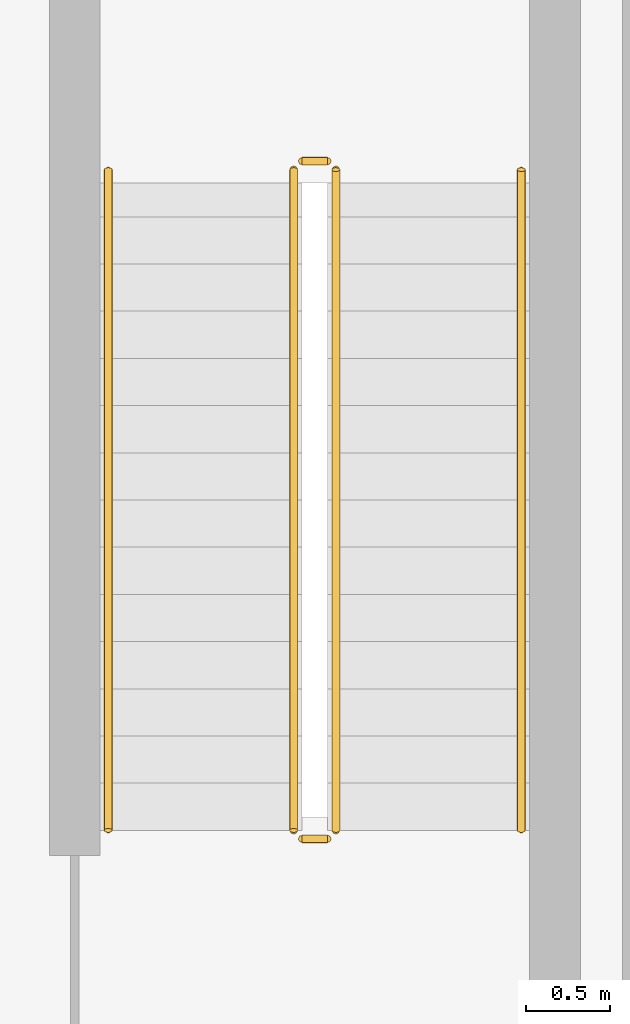
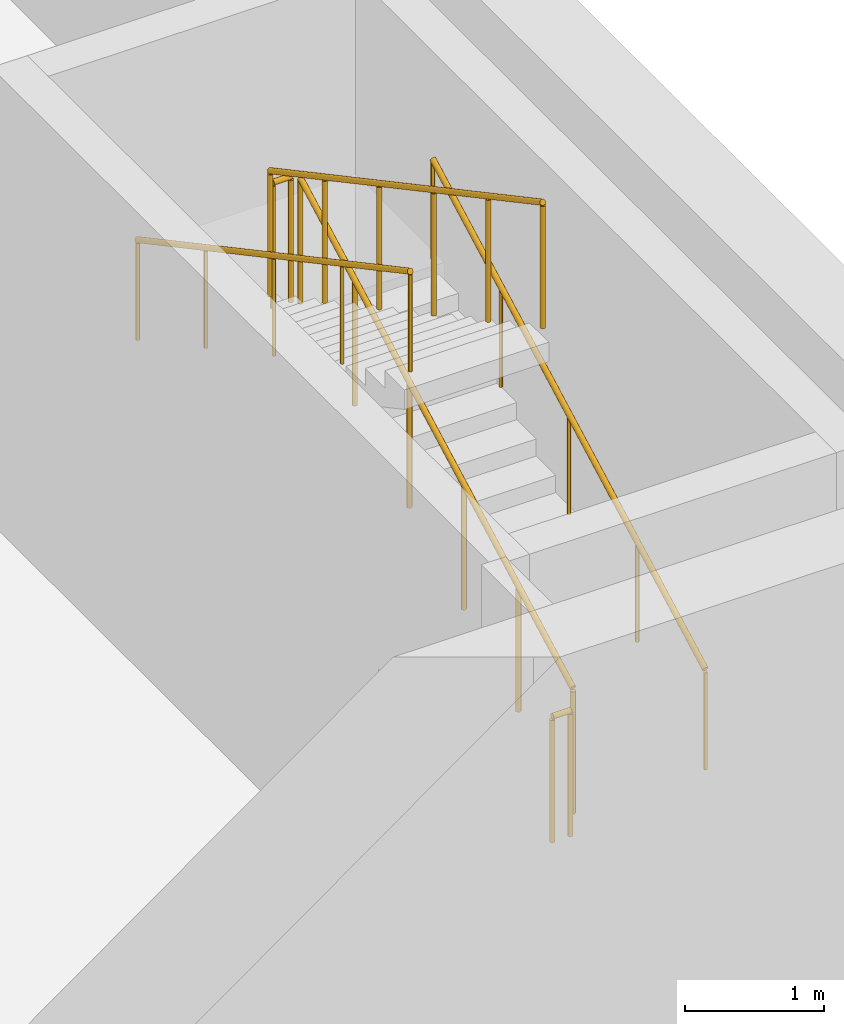
# One storey, part 20 of 21: 6 railings.
"""IFC4 building model written with IfcOpenShell, lengths in metres."""

from ifc_helpers import new_model, si_unit, direction, frame, origin, origin_2d, place, context, subcontext, project, spatial, circle, extrude, material, type_object, element, save


model = new_model("IFC4")

# Units and contexts
model_context = context("Model", 3, precision=1e-05, world=origin(), true_north=direction((0.0, 1.0)))
body_context = subcontext(model_context, "Body", "Model", "MODEL_VIEW")
ifc_project = project(units=[si_unit("LENGTHUNIT", "METRE"), si_unit("AREAUNIT", "SQUARE_METRE"), si_unit("VOLUMEUNIT", "CUBIC_METRE"), si_unit("PLANEANGLEUNIT", "RADIAN"), si_unit("MASSUNIT", "GRAM", prefix="KILO")], contexts=[model_context])

# Site, building, storey
site_placement = place(None, origin())
site = spatial("IfcSite", under=ifc_project, at=site_placement, CompositionType="ELEMENT")
building_placement = place(site_placement, origin())
building = spatial("IfcBuilding", under=site, at=building_placement, Name="Trine Commons Tower", CompositionType="ELEMENT")
storey_placement = place(building_placement, frame((0.0, 0.0, -4.5)))
storey = spatial("IfcBuildingStorey", under=building, at=storey_placement, Name="B1", CompositionType="ELEMENT", Elevation=-4.5)

# Railings
ifc_material = material(Name="Structural steel ASTM A500 Gr C", Category="steel")
railing_type_1 = type_object("IfcRailingType", Name="Steel guard 1120 mm, ASTM A500 Gr C", PredefinedType="GUARDRAIL", material=ifc_material)
railing_1_placement = place(storey_placement, frame((136.5, 23.64990234375, 0.14990234375)))
element("IfcRailing", 1, at=railing_1_placement, inside=storey, type_object=railing_type_1, Name="B1 STB2 stair guard 1", PredefinedType="GUARDRAIL", context=body_context, shape_type="SweptSolid", body=[
    extrude(circle(Radius=0.02392578125, at=origin_2d()), frame((0.0, 0.0, 1.09619140625), z_axis=(0.0, 0.881479153919, 0.472222935917), x_axis=(-1.0, 0.0, 0.0)), (0.0, 0.0, 1.0), 4.447265625),
    extrude(circle(Radius=0.02099609375, at=origin_2d()), origin(), (0.0, 0.0, 1.0), 1.072021484375),
    extrude(circle(Radius=0.02099609375, at=origin_2d()), frame((0.0, 0.783935546875, 0.419921875)), (0.0, 0.0, 1.0), 1.072021484375),
    extrude(circle(Radius=0.02099609375, at=origin_2d()), frame((0.0, 1.568115234375, 0.840087890625)), (0.0, 0.0, 1.0), 1.072021484375),
    extrude(circle(Radius=0.02099609375, at=origin_2d()), frame((0.0, 2.35205078125, 1.260009765625)), (0.0, 0.0, 1.0), 1.072021484375),
    extrude(circle(Radius=0.02099609375, at=origin_2d()), frame((0.0, 3.13623046875, 1.68017578125)), (0.0, 0.0, 1.0), 1.072021484375),
    extrude(circle(Radius=0.02099609375, at=origin_2d()), frame((0.0, 3.920166015625, 2.10009765625)), (0.0, 0.0, 1.0), 1.072021484375),
])
railing_2_placement = place(storey_placement, frame((136.449951171875, 27.6201171875, 2.25)))
element("IfcRailing", 2, at=railing_2_placement, inside=storey, type_object=railing_type_1, Name="B1 STB2 stair guard 2", PredefinedType="GUARDRAIL", context=body_context, shape_type="SweptSolid", body=[
    extrude(circle(Radius=0.02392578125, at=origin_2d()), frame((0.0, 0.0, 1.09619140625), z_axis=(-1.0, 0.0, 0.0), x_axis=(0.0, -1.0, 0.0)), (0.0, 0.0, 1.0), 0.14990234375),
    extrude(circle(Radius=0.02099609375, at=origin_2d()), origin(), (0.0, 0.0, 1.0), 1.072021484375),
    extrude(circle(Radius=0.02099609375, at=origin_2d()), frame((-0.14990234375, 0.0, 0.0)), (0.0, 0.0, 1.0), 1.072021484375),
])
railing_3_placement = place(storey_placement, frame((136.25, 27.570068359375, 2.39990234375)))
element("IfcRailing", 3, at=railing_3_placement, inside=storey, type_object=railing_type_1, Name="B1 STB2 stair guard 3", PredefinedType="GUARDRAIL", context=body_context, shape_type="SweptSolid", body=[
    extrude(circle(Radius=0.02392578125, at=origin_2d()), frame((0.0, 0.0, 1.09619140625), z_axis=(0.0, -0.881479153919, 0.472222935917), x_axis=(1.0, 0.0, 0.0)), (0.0, 0.0, 1.0), 4.447265625),
    extrude(circle(Radius=0.02099609375, at=origin_2d()), origin(), (0.0, 0.0, 1.0), 1.072021484375),
    extrude(circle(Radius=0.02099609375, at=origin_2d()), frame((0.0, -0.783935546875, 0.419921875)), (0.0, 0.0, 1.0), 1.072021484375),
    extrude(circle(Radius=0.02099609375, at=origin_2d()), frame((0.0, -1.568115234375, 0.840087890625)), (0.0, 0.0, 1.0), 1.072021484375),
    extrude(circle(Radius=0.02099609375, at=origin_2d()), frame((0.0, -2.35205078125, 1.260009765625)), (0.0, 0.0, 1.0), 1.072021484375),
    extrude(circle(Radius=0.02099609375, at=origin_2d()), frame((0.0, -3.13623046875, 1.68017578125)), (0.0, 0.0, 1.0), 1.072021484375),
    extrude(circle(Radius=0.02099609375, at=origin_2d()), frame((0.0, -3.920166015625, 2.10009765625)), (0.0, 0.0, 1.0), 1.072021484375),
])
railing_4_placement = place(storey_placement, frame((136.449951171875, 23.60009765625, 0.0)))
element("IfcRailing", 4, at=railing_4_placement, inside=storey, type_object=railing_type_1, Name="B1 STB2 stair guard 4", PredefinedType="GUARDRAIL", context=body_context, shape_type="SweptSolid", body=[
    extrude(circle(Radius=0.02392578125, at=origin_2d()), frame((0.0, 0.0, 1.09619140625), z_axis=(-1.0, 0.0, 0.0), x_axis=(0.0, -1.0, 0.0)), (0.0, 0.0, 1.0), 0.14990234375),
    extrude(circle(Radius=0.02099609375, at=origin_2d()), origin(), (0.0, 0.0, 1.0), 1.072021484375),
    extrude(circle(Radius=0.02099609375, at=origin_2d()), frame((-0.14990234375, 0.0, 0.0)), (0.0, 0.0, 1.0), 1.072021484375),
])
railing_type_2 = type_object("IfcRailingType", Name="Steel handrail 900 mm, ASTM A500 Gr C", PredefinedType="HANDRAIL", material=ifc_material)
railing_5_placement = place(storey_placement, frame((137.60009765625, 23.64990234375, 0.14990234375)))
element("IfcRailing", 5, at=railing_5_placement, inside=storey, type_object=railing_type_2, Name="B1 STB2 stair handrail 1", PredefinedType="HANDRAIL", context=body_context, shape_type="SweptSolid", body=[
    extrude(circle(Radius=0.02392578125, at=origin_2d()), frame((0.0, 0.0, 0.8759765625), z_axis=(0.0, 0.881479153919, 0.472222935917), x_axis=(-1.0, 0.0, 0.0)), (0.0, 0.0, 1.0), 4.447265625),
    extrude(circle(Radius=0.01513671875, at=origin_2d()), origin(), (0.0, 0.0, 1.0), 0.851806640625),
    extrude(circle(Radius=0.01513671875, at=origin_2d()), frame((0.0, 0.97998046875, 0.52490234375)), (0.0, 0.0, 1.0), 0.851806640625),
    extrude(circle(Radius=0.01513671875, at=origin_2d()), frame((0.0, 1.9599609375, 1.050048828125)), (0.0, 0.0, 1.0), 0.851806640625),
    extrude(circle(Radius=0.01513671875, at=origin_2d()), frame((0.0, 2.940185546875, 1.5751953125)), (0.0, 0.0, 1.0), 0.851806640625),
    extrude(circle(Radius=0.01513671875, at=origin_2d()), frame((0.0, 3.920166015625, 2.10009765625)), (0.0, 0.0, 1.0), 0.851806640625),
])
railing_6_placement = place(storey_placement, frame((135.14990234375, 27.570068359375, 2.39990234375)))
element("IfcRailing", 6, at=railing_6_placement, inside=storey, type_object=railing_type_2, Name="B1 STB2 stair handrail 2", PredefinedType="HANDRAIL", context=body_context, shape_type="SweptSolid", body=[
    extrude(circle(Radius=0.02392578125, at=origin_2d()), frame((0.0, 0.0, 0.8759765625), z_axis=(0.0, -0.881479153919, 0.472222935917), x_axis=(1.0, 0.0, 0.0)), (0.0, 0.0, 1.0), 4.447265625),
    extrude(circle(Radius=0.01513671875, at=origin_2d()), origin(), (0.0, 0.0, 1.0), 0.851806640625),
    extrude(circle(Radius=0.01513671875, at=origin_2d()), frame((0.0, -0.97998046875, 0.52490234375)), (0.0, 0.0, 1.0), 0.851806640625),
    extrude(circle(Radius=0.01513671875, at=origin_2d()), frame((0.0, -1.9599609375, 1.050048828125)), (0.0, 0.0, 1.0), 0.851806640625),
    extrude(circle(Radius=0.01513671875, at=origin_2d()), frame((0.0, -2.940185546875, 1.5751953125)), (0.0, 0.0, 1.0), 0.851806640625),
    extrude(circle(Radius=0.01513671875, at=origin_2d()), frame((0.0, -3.920166015625, 2.10009765625)), (0.0, 0.0, 1.0), 0.851806640625),
])

save(model, "model.ifc")
